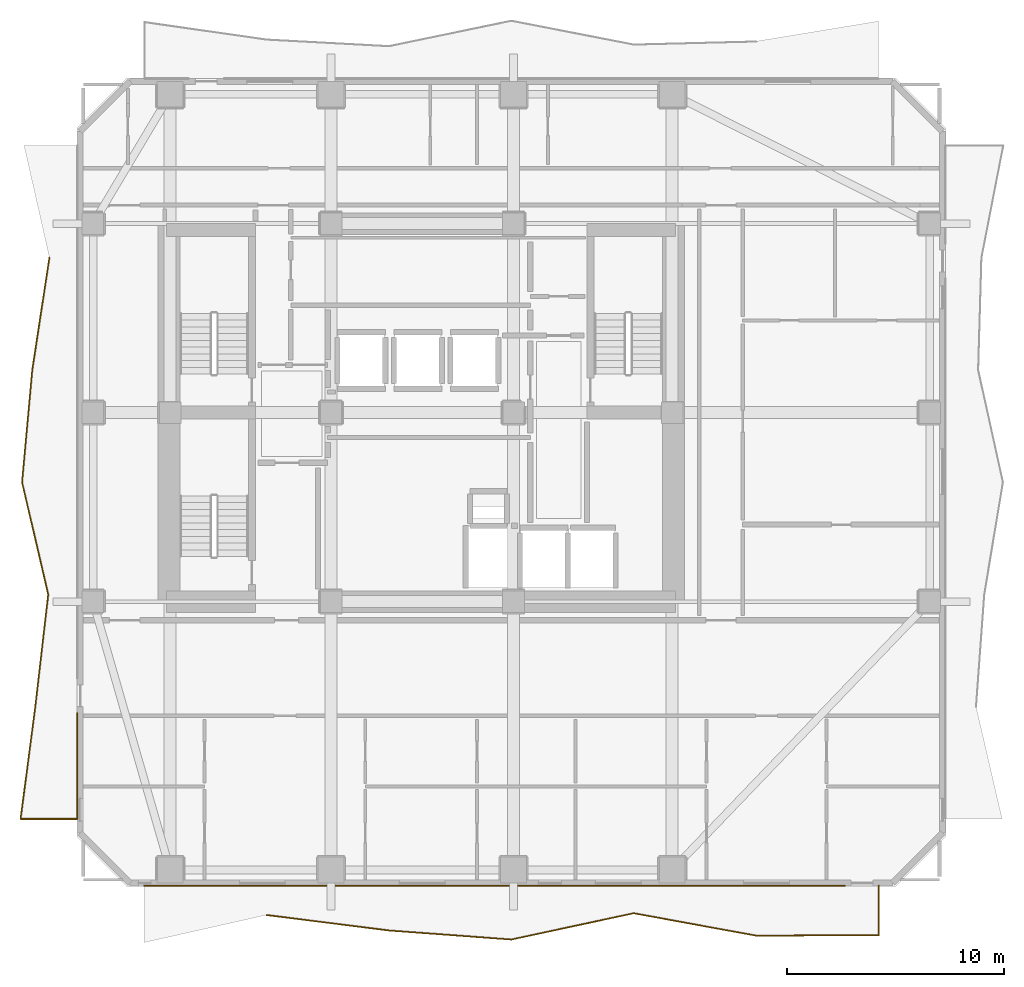
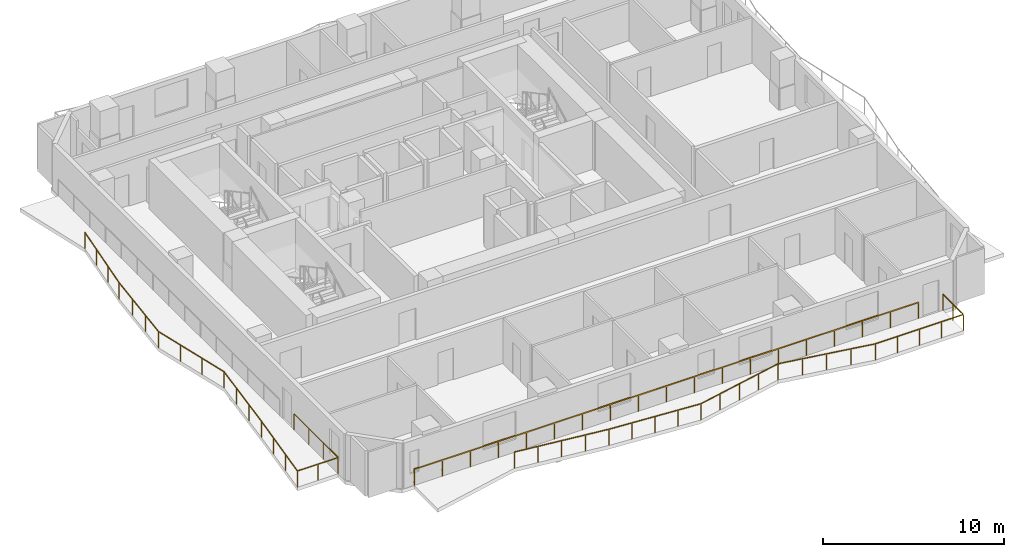
# One storey, part 7 of 9: 3 railings.
"""IFC4 building model written with IfcOpenShell, lengths in metres."""

from ifc_helpers import new_model, si_unit, direction, frame, origin, origin_2d, place, context, subcontext, project, spatial, rectangle, extrude, material, type_object, element, save


model = new_model("IFC4")

# Units and contexts
model_context = context("Model", 3, precision=1e-05, world=origin(), true_north=direction((0.0, 1.0)))
body_context = subcontext(model_context, "Body", "Model", "MODEL_VIEW")
ifc_project = project(units=[si_unit("LENGTHUNIT", "METRE"), si_unit("AREAUNIT", "SQUARE_METRE"), si_unit("VOLUMEUNIT", "CUBIC_METRE"), si_unit("PLANEANGLEUNIT", "RADIAN"), si_unit("MASSUNIT", "GRAM", prefix="KILO")], contexts=[model_context])

# Site, building, storey
site_placement = place(None, origin())
site = spatial("IfcSite", under=ifc_project, at=site_placement, CompositionType="ELEMENT")
building_placement = place(site_placement, origin())
building = spatial("IfcBuilding", under=site, at=building_placement, Name="Solanera Arch Residences", CompositionType="ELEMENT")
storey_placement = place(building_placement, frame((0.0, 0.0, 132.639892578125)))
storey = spatial("IfcBuildingStorey", under=building, at=storey_placement, Name="L38", CompositionType="ELEMENT", Elevation=132.639892578125)

# Railings
ifc_material = material(Name="Steel S355 (ASTM A992 / A572 Grade 50)", Category="steel")
railing_type = type_object("IfcRailingType", Name="Balustrade Railing BL-1100", PredefinedType="BALUSTRADE", material=ifc_material)
railing_1_placement = place(storey_placement, frame((17.8330078125, 7.5791015625, 0.0)))
element("IfcRailing", 1, at=railing_1_placement, inside=storey, type_object=railing_type, Name="L38 S Balcony Balustrade 1", PredefinedType="BALUSTRADE", context=body_context, shape_type="SweptSolid", body=[
    extrude(rectangle(XDim=0.048095703125, YDim=0.048095703125, at=origin_2d()), frame((0.0, 0.0, 1.09619140625), z_axis=(0.992105627374, -0.125405040302, 0.0), x_axis=(0.125405040302, 0.992105627374, 0.0)), (0.0, 0.0, 1.0), 5.678955078125),
    extrude(rectangle(XDim=0.048095703125, YDim=0.048095703125, at=origin_2d()), frame((5.634033203125, -0.712158203125, 1.09619140625), z_axis=(0.997284005213, -0.07365197178, 0.0), x_axis=(0.07365197178, 0.997284005213, 0.0)), (0.0, 0.0, 1.0), 5.6484375),
    extrude(rectangle(XDim=0.048095703125, YDim=0.048095703125, at=origin_2d()), frame((11.26708984375, -1.128173828125, 1.09619140625), z_axis=(0.977698110362, 0.210015249435, 0.0), x_axis=(-0.210015249435, 0.977698110362, 0.0)), (0.0, 0.0, 1.0), 5.76123046875),
    extrude(rectangle(XDim=0.048095703125, YDim=0.048095703125, at=origin_2d()), frame((16.89990234375, 0.081787109375, 1.09619140625), z_axis=(0.983635148134, -0.180171849511, 0.0), x_axis=(0.180171849511, 0.983635148134, 0.0)), (0.0, 0.0, 1.0), 5.727783203125),
    extrude(rectangle(XDim=0.048095703125, YDim=0.048095703125, at=origin_2d()), frame((22.533935546875, -0.9501953125, 1.09619140625), z_axis=(0.999990036089, 0.004464047749, 0.0), x_axis=(-0.004464047749, 0.999990036089, 0.0)), (0.0, 0.0, 1.0), 5.633056640625),
    extrude(rectangle(XDim=0.048095703125, YDim=0.048095703125, at=origin_2d()), frame((28.1669921875, -0.925048828125, 1.09619140625), z_axis=(0.0, 1.0, 0.0), x_axis=(-1.0, 0.0, 0.0)), (0.0, 0.0, 1.0), 2.265869140625),
    extrude(rectangle(XDim=0.0419921875, YDim=0.0419921875, at=origin_2d()), origin(), (0.0, 0.0, 1.0), 1.072021484375),
    extrude(rectangle(XDim=0.0419921875, YDim=0.0419921875, at=origin_2d()), frame((1.408447265625, -0.177978515625, 0.0)), (0.0, 0.0, 1.0), 1.072021484375),
    extrude(rectangle(XDim=0.0419921875, YDim=0.0419921875, at=origin_2d()), frame((2.81689453125, -0.35595703125, 0.0)), (0.0, 0.0, 1.0), 1.072021484375),
    extrude(rectangle(XDim=0.0419921875, YDim=0.0419921875, at=origin_2d()), frame((4.2255859375, -0.5341796875, 0.0)), (0.0, 0.0, 1.0), 1.072021484375),
    extrude(rectangle(XDim=0.0419921875, YDim=0.0419921875, at=origin_2d()), frame((5.634033203125, -0.712158203125, 0.0)), (0.0, 0.0, 1.0), 1.072021484375),
    extrude(rectangle(XDim=0.0419921875, YDim=0.0419921875, at=origin_2d()), frame((7.042236328125, -0.816162109375, 0.0)), (0.0, 0.0, 1.0), 1.072021484375),
    extrude(rectangle(XDim=0.0419921875, YDim=0.0419921875, at=origin_2d()), frame((8.45068359375, -0.920166015625, 0.0)), (0.0, 0.0, 1.0), 1.072021484375),
    extrude(rectangle(XDim=0.0419921875, YDim=0.0419921875, at=origin_2d()), frame((9.85888671875, -1.024169921875, 0.0)), (0.0, 0.0, 1.0), 1.072021484375),
    extrude(rectangle(XDim=0.0419921875, YDim=0.0419921875, at=origin_2d()), frame((11.26708984375, -1.128173828125, 0.0)), (0.0, 0.0, 1.0), 1.072021484375),
    extrude(rectangle(XDim=0.0419921875, YDim=0.0419921875, at=origin_2d()), frame((12.67529296875, -0.82568359375, 0.0)), (0.0, 0.0, 1.0), 1.072021484375),
    extrude(rectangle(XDim=0.0419921875, YDim=0.0419921875, at=origin_2d()), frame((14.08349609375, -0.523193359375, 0.0)), (0.0, 0.0, 1.0), 1.072021484375),
    extrude(rectangle(XDim=0.0419921875, YDim=0.0419921875, at=origin_2d()), frame((15.49169921875, -0.220703125, 0.0)), (0.0, 0.0, 1.0), 1.072021484375),
    extrude(rectangle(XDim=0.0419921875, YDim=0.0419921875, at=origin_2d()), frame((16.89990234375, 0.081787109375, 0.0)), (0.0, 0.0, 1.0), 1.072021484375),
    extrude(rectangle(XDim=0.0419921875, YDim=0.0419921875, at=origin_2d()), frame((18.308349609375, -0.17626953125, 0.0)), (0.0, 0.0, 1.0), 1.072021484375),
    extrude(rectangle(XDim=0.0419921875, YDim=0.0419921875, at=origin_2d()), frame((19.716796875, -0.43408203125, 0.0)), (0.0, 0.0, 1.0), 1.072021484375),
    extrude(rectangle(XDim=0.0419921875, YDim=0.0419921875, at=origin_2d()), frame((21.12548828125, -0.692138671875, 0.0)), (0.0, 0.0, 1.0), 1.072021484375),
    extrude(rectangle(XDim=0.0419921875, YDim=0.0419921875, at=origin_2d()), frame((22.533935546875, -0.9501953125, 0.0)), (0.0, 0.0, 1.0), 1.072021484375),
    extrude(rectangle(XDim=0.0419921875, YDim=0.0419921875, at=origin_2d()), frame((23.942138671875, -0.94384765625, 0.0)), (0.0, 0.0, 1.0), 1.072021484375),
    extrude(rectangle(XDim=0.0419921875, YDim=0.0419921875, at=origin_2d()), frame((25.3505859375, -0.9375, 0.0)), (0.0, 0.0, 1.0), 1.072021484375),
    extrude(rectangle(XDim=0.0419921875, YDim=0.0419921875, at=origin_2d()), frame((26.7587890625, -0.931396484375, 0.0)), (0.0, 0.0, 1.0), 1.072021484375),
    extrude(rectangle(XDim=0.0419921875, YDim=0.0419921875, at=origin_2d()), frame((28.1669921875, -0.925048828125, 0.0)), (0.0, 0.0, 1.0), 1.072021484375),
    extrude(rectangle(XDim=0.0419921875, YDim=0.0419921875, at=origin_2d()), frame((28.1669921875, 0.2080078125, 0.0)), (0.0, 0.0, 1.0), 1.072021484375),
    extrude(rectangle(XDim=0.0419921875, YDim=0.0419921875, at=origin_2d()), frame((28.1669921875, 1.3408203125, 0.0)), (0.0, 0.0, 1.0), 1.072021484375),
])
railing_2_placement = place(storey_placement, frame((44.44091796875, 8.919921875, 0.0)))
element("IfcRailing", 2, at=railing_2_placement, inside=storey, type_object=railing_type, Name="L38 S Balcony Balustrade 2", PredefinedType="BALUSTRADE", context=body_context, shape_type="SweptSolid", body=[
    extrude(rectangle(XDim=0.048095703125, YDim=0.048095703125, at=origin_2d()), frame((0.0, 0.0, 1.09619140625), z_axis=(-1.0, 0.0, 0.0), x_axis=(0.0, -1.0, 0.0)), (0.0, 0.0, 1.0), 32.240966796875),
    extrude(rectangle(XDim=0.0419921875, YDim=0.0419921875, at=origin_2d()), origin(), (0.0, 0.0, 1.0), 1.072021484375),
    extrude(rectangle(XDim=0.0419921875, YDim=0.0419921875, at=origin_2d()), frame((-1.791259765625, 0.0, 0.0)), (0.0, 0.0, 1.0), 1.072021484375),
    extrude(rectangle(XDim=0.0419921875, YDim=0.0419921875, at=origin_2d()), frame((-3.582275390625, 0.0, 0.0)), (0.0, 0.0, 1.0), 1.072021484375),
    extrude(rectangle(XDim=0.0419921875, YDim=0.0419921875, at=origin_2d()), frame((-5.37353515625, 0.0, 0.0)), (0.0, 0.0, 1.0), 1.072021484375),
    extrude(rectangle(XDim=0.0419921875, YDim=0.0419921875, at=origin_2d()), frame((-7.16455078125, 0.0, 0.0)), (0.0, 0.0, 1.0), 1.072021484375),
    extrude(rectangle(XDim=0.0419921875, YDim=0.0419921875, at=origin_2d()), frame((-8.955810546875, 0.0, 0.0)), (0.0, 0.0, 1.0), 1.072021484375),
    extrude(rectangle(XDim=0.0419921875, YDim=0.0419921875, at=origin_2d()), frame((-10.7470703125, 0.0, 0.0)), (0.0, 0.0, 1.0), 1.072021484375),
    extrude(rectangle(XDim=0.0419921875, YDim=0.0419921875, at=origin_2d()), frame((-12.5380859375, 0.0, 0.0)), (0.0, 0.0, 1.0), 1.072021484375),
    extrude(rectangle(XDim=0.0419921875, YDim=0.0419921875, at=origin_2d()), frame((-14.329345703125, 0.0, 0.0)), (0.0, 0.0, 1.0), 1.072021484375),
    extrude(rectangle(XDim=0.0419921875, YDim=0.0419921875, at=origin_2d()), frame((-16.12060546875, 0.0, 0.0)), (0.0, 0.0, 1.0), 1.072021484375),
    extrude(rectangle(XDim=0.0419921875, YDim=0.0419921875, at=origin_2d()), frame((-17.91162109375, 0.0, 0.0)), (0.0, 0.0, 1.0), 1.072021484375),
    extrude(rectangle(XDim=0.0419921875, YDim=0.0419921875, at=origin_2d()), frame((-19.702880859375, 0.0, 0.0)), (0.0, 0.0, 1.0), 1.072021484375),
    extrude(rectangle(XDim=0.0419921875, YDim=0.0419921875, at=origin_2d()), frame((-21.493896484375, 0.0, 0.0)), (0.0, 0.0, 1.0), 1.072021484375),
    extrude(rectangle(XDim=0.0419921875, YDim=0.0419921875, at=origin_2d()), frame((-23.28515625, 0.0, 0.0)), (0.0, 0.0, 1.0), 1.072021484375),
    extrude(rectangle(XDim=0.0419921875, YDim=0.0419921875, at=origin_2d()), frame((-25.076416015625, 0.0, 0.0)), (0.0, 0.0, 1.0), 1.072021484375),
    extrude(rectangle(XDim=0.0419921875, YDim=0.0419921875, at=origin_2d()), frame((-26.867431640625, 0.0, 0.0)), (0.0, 0.0, 1.0), 1.072021484375),
    extrude(rectangle(XDim=0.0419921875, YDim=0.0419921875, at=origin_2d()), frame((-28.65869140625, 0.0, 0.0)), (0.0, 0.0, 1.0), 1.072021484375),
    extrude(rectangle(XDim=0.0419921875, YDim=0.0419921875, at=origin_2d()), frame((-30.44970703125, 0.0, 0.0)), (0.0, 0.0, 1.0), 1.072021484375),
    extrude(rectangle(XDim=0.0419921875, YDim=0.0419921875, at=origin_2d()), frame((-32.240966796875, 0.0, 0.0)), (0.0, 0.0, 1.0), 1.072021484375),
])
railing_3_placement = place(storey_placement, frame((7.837890625, 37.8330078125, 0.0)))
element("IfcRailing", 3, at=railing_3_placement, inside=storey, type_object=railing_type, Name="L38 W Balcony Balustrade 1", PredefinedType="BALUSTRADE", context=body_context, shape_type="SweptSolid", body=[
    extrude(rectangle(XDim=0.048095703125, YDim=0.048095703125, at=origin_2d()), frame((0.0, 0.0, 1.09619140625), z_axis=(-0.150944239237, -0.988542278631, 0.0), x_axis=(0.988542278631, -0.150944239237, 0.0)), (0.0, 0.0, 1.0), 5.225830078125),
    extrude(rectangle(XDim=0.048095703125, YDim=0.048095703125, at=origin_2d()), frame((-0.788818359375, -5.166015625, 1.09619140625), z_axis=(-0.090395732471, -0.995905925051, 0.0), x_axis=(0.995905925051, -0.090395732471, 0.0)), (0.0, 0.0, 1.0), 5.188232421875),
    extrude(rectangle(XDim=0.048095703125, YDim=0.048095703125, at=origin_2d()), frame((-1.2578125, -10.3330078125, 1.09619140625), z_axis=(0.226912475326, -0.973915154693, 0.0), x_axis=(0.973915154693, 0.226912475326, 0.0)), (0.0, 0.0, 1.0), 5.305419921875),
    extrude(rectangle(XDim=0.048095703125, YDim=0.048095703125, at=origin_2d()), frame((-0.053955078125, -15.5, 1.09619140625), z_axis=(-0.114599160596, -0.993411814099, 0.0), x_axis=(0.993411814099, -0.114599160596, 0.0)), (0.0, 0.0, 1.0), 5.2001953125),
    extrude(rectangle(XDim=0.048095703125, YDim=0.048095703125, at=origin_2d()), frame((-0.64990234375, -20.666015625, 1.09619140625), z_axis=(-0.12991398448, -0.991525267775, 0.0), x_axis=(0.991525267775, -0.12991398448, 0.0)), (0.0, 0.0, 1.0), 5.211181640625),
    extrude(rectangle(XDim=0.048095703125, YDim=0.048095703125, at=origin_2d()), frame((-1.326904296875, -25.8330078125, 1.09619140625), z_axis=(1.0, 0.0, 0.0), x_axis=(0.0, 1.0, 0.0)), (0.0, 0.0, 1.0), 2.609130859375),
    extrude(rectangle(XDim=0.048095703125, YDim=0.048095703125, at=origin_2d()), frame((1.2822265625, -25.8330078125, 1.09619140625), z_axis=(0.0, 1.0, 0.0), x_axis=(-1.0, 0.0, 0.0)), (0.0, 0.0, 1.0), 4.873046875),
    extrude(rectangle(XDim=0.0419921875, YDim=0.0419921875, at=origin_2d()), origin(), (0.0, 0.0, 1.0), 1.072021484375),
    extrude(rectangle(XDim=0.0419921875, YDim=0.0419921875, at=origin_2d()), frame((-0.262939453125, -1.721923828125, 0.0)), (0.0, 0.0, 1.0), 1.072021484375),
    extrude(rectangle(XDim=0.0419921875, YDim=0.0419921875, at=origin_2d()), frame((-0.52587890625, -3.444091796875, 0.0)), (0.0, 0.0, 1.0), 1.072021484375),
    extrude(rectangle(XDim=0.0419921875, YDim=0.0419921875, at=origin_2d()), frame((-0.788818359375, -5.166015625, 0.0)), (0.0, 0.0, 1.0), 1.072021484375),
    extrude(rectangle(XDim=0.0419921875, YDim=0.0419921875, at=origin_2d()), frame((-0.945068359375, -6.888427734375, 0.0)), (0.0, 0.0, 1.0), 1.072021484375),
    extrude(rectangle(XDim=0.0419921875, YDim=0.0419921875, at=origin_2d()), frame((-1.1015625, -8.610595703125, 0.0)), (0.0, 0.0, 1.0), 1.072021484375),
    extrude(rectangle(XDim=0.0419921875, YDim=0.0419921875, at=origin_2d()), frame((-1.2578125, -10.3330078125, 0.0)), (0.0, 0.0, 1.0), 1.072021484375),
    extrude(rectangle(XDim=0.0419921875, YDim=0.0419921875, at=origin_2d()), frame((-0.8564453125, -12.055419921875, 0.0)), (0.0, 0.0, 1.0), 1.072021484375),
    extrude(rectangle(XDim=0.0419921875, YDim=0.0419921875, at=origin_2d()), frame((-0.455322265625, -13.777587890625, 0.0)), (0.0, 0.0, 1.0), 1.072021484375),
    extrude(rectangle(XDim=0.0419921875, YDim=0.0419921875, at=origin_2d()), frame((-0.053955078125, -15.5, 0.0)), (0.0, 0.0, 1.0), 1.072021484375),
    extrude(rectangle(XDim=0.0419921875, YDim=0.0419921875, at=origin_2d()), frame((-0.252685546875, -17.221923828125, 0.0)), (0.0, 0.0, 1.0), 1.072021484375),
    extrude(rectangle(XDim=0.0419921875, YDim=0.0419921875, at=origin_2d()), frame((-0.451171875, -18.944091796875, 0.0)), (0.0, 0.0, 1.0), 1.072021484375),
    extrude(rectangle(XDim=0.0419921875, YDim=0.0419921875, at=origin_2d()), frame((-0.64990234375, -20.666015625, 0.0)), (0.0, 0.0, 1.0), 1.072021484375),
    extrude(rectangle(XDim=0.0419921875, YDim=0.0419921875, at=origin_2d()), frame((-0.87548828125, -22.388427734375, 0.0)), (0.0, 0.0, 1.0), 1.072021484375),
    extrude(rectangle(XDim=0.0419921875, YDim=0.0419921875, at=origin_2d()), frame((-1.101318359375, -24.110595703125, 0.0)), (0.0, 0.0, 1.0), 1.072021484375),
    extrude(rectangle(XDim=0.0419921875, YDim=0.0419921875, at=origin_2d()), frame((-1.326904296875, -25.8330078125, 0.0)), (0.0, 0.0, 1.0), 1.072021484375),
    extrude(rectangle(XDim=0.0419921875, YDim=0.0419921875, at=origin_2d()), frame((-0.0224609375, -25.8330078125, 0.0)), (0.0, 0.0, 1.0), 1.072021484375),
    extrude(rectangle(XDim=0.0419921875, YDim=0.0419921875, at=origin_2d()), frame((1.2822265625, -25.8330078125, 0.0)), (0.0, 0.0, 1.0), 1.072021484375),
    extrude(rectangle(XDim=0.0419921875, YDim=0.0419921875, at=origin_2d()), frame((1.2822265625, -24.208740234375, 0.0)), (0.0, 0.0, 1.0), 1.072021484375),
    extrude(rectangle(XDim=0.0419921875, YDim=0.0419921875, at=origin_2d()), frame((1.2822265625, -22.584228515625, 0.0)), (0.0, 0.0, 1.0), 1.072021484375),
    extrude(rectangle(XDim=0.0419921875, YDim=0.0419921875, at=origin_2d()), frame((1.2822265625, -20.9599609375, 0.0)), (0.0, 0.0, 1.0), 1.072021484375),
])

save(model, "model.ifc")
